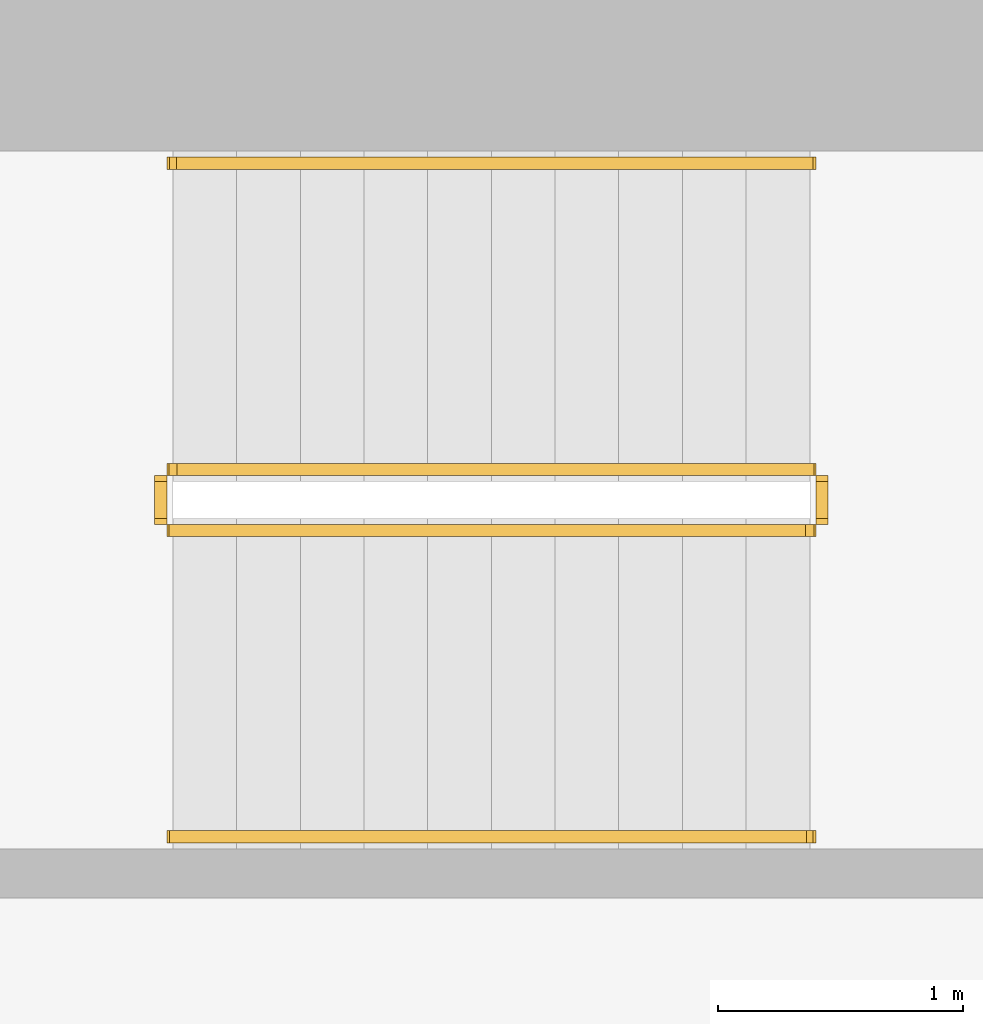
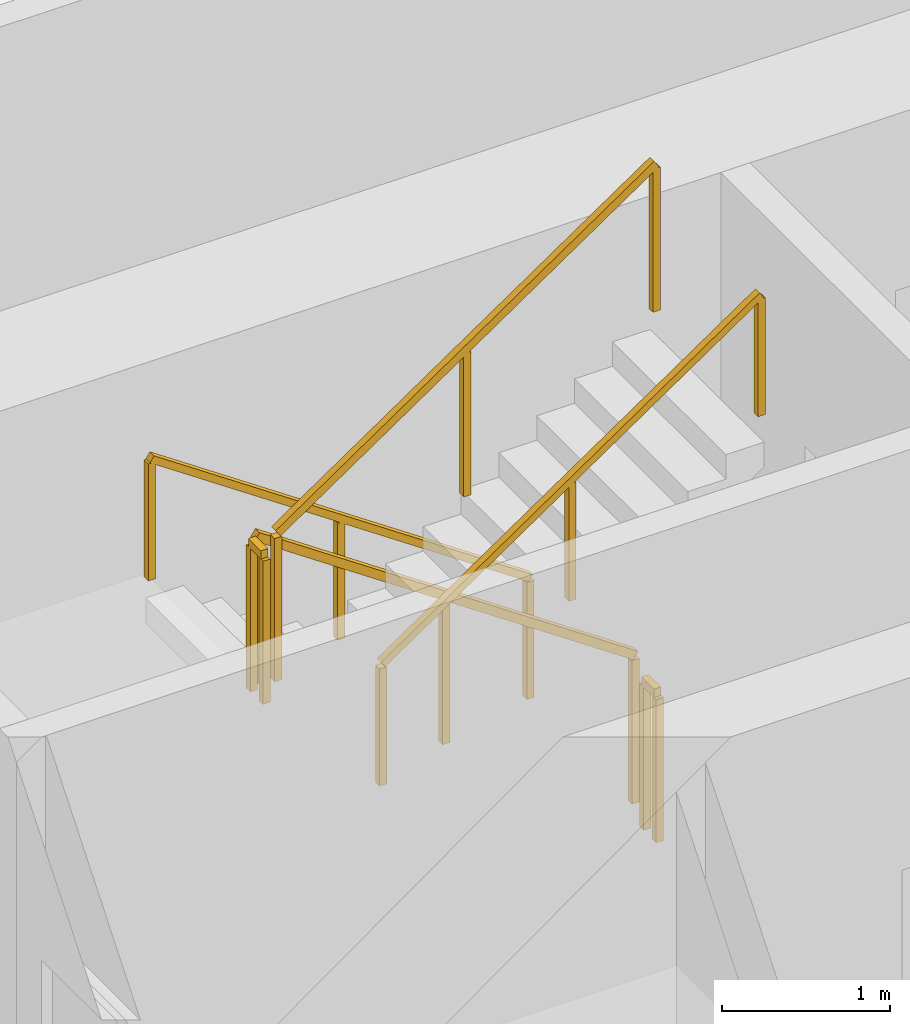
# One storey, part 14 of 15: 6 railings.
"""IFC4 building model written with IfcOpenShell, lengths in metres."""

import ifcopenshell
import ifcopenshell.guid

model = None  # the IFC model being written
_history = None  # IfcOwnerHistory: only IFC2X3 demands one
_inside = {}  # id of a spatial element -> (the spatial element, [elements in it])
_under = {}  # id of a project, library or spatial element -> (it, [spatial elements below it])
_declared = {}  # id of a project -> (the project, [libraries it declares])
_typed = {}  # id of a type object -> (the type object, [elements of that type])
_made_of = {}  # id of a material, layer set ... -> (it, [elements and type objects made of it])


def new_model(schema):
    """Start an empty IFC model of exactly this schema.

    Asked for "IFC4X3", IfcOpenShell would pick the latest addendum, in which some entities
    have other attributes; the version numbers below select the first issue.
    IFC2X3 requires an IfcOwnerHistory on every rooted entity: one is made here for all.
    """
    global model, _history
    if schema == "IFC4X3":
        model = ifcopenshell.file(schema_version=(4, 3, 0, 0))
    else:
        model = ifcopenshell.file(schema=schema)
    _inside.clear()
    _under.clear()
    _declared.clear()
    _typed.clear()
    _made_of.clear()
    _history = None
    if model.schema == "IFC2X3":
        org = make("IfcOrganization", Name="unknown")
        user = make(
            "IfcPersonAndOrganization",
            ThePerson=make("IfcPerson", FamilyName="unknown"),
            TheOrganization=org,
        )
        app = make(
            "IfcApplication",
            ApplicationDeveloper=org,
            Version="unknown",
            ApplicationFullName="unknown",
            ApplicationIdentifier="unknown",
        )
        _history = make(
            "IfcOwnerHistory",
            OwningUser=user,
            OwningApplication=app,
            ChangeAction="ADDED",
            CreationDate=0,
        )
    return model


def make(cls, **values):
    """One entity of the class cls with the attributes given. An attribute that is None is left unset."""
    return model.create_entity(
        cls, **{name: value for name, value in values.items() if value is not None}
    )


def rooted(cls, **values):
    """An entity with a GlobalId (a new one), such as an element, a storey or a relation."""
    return make(cls, GlobalId=ifcopenshell.guid.new(), OwnerHistory=_history, **values)


def si_unit(unit_type, name, prefix=None):
    """IfcSIUnit, for example si_unit("LENGTHUNIT", "METRE", prefix="MILLI")."""
    return make("IfcSIUnit", UnitType=unit_type, Prefix=prefix, Name=name)


def assignment(units):
    """IfcUnitAssignment: the units of a project."""
    return None if units is None else make("IfcUnitAssignment", Units=units)


def point(xyz):
    """IfcCartesianPoint."""
    return None if xyz is None else make("IfcCartesianPoint", Coordinates=xyz)


def direction(xyz):
    """IfcDirection."""
    return None if xyz is None else make("IfcDirection", DirectionRatios=xyz)


def frame(location, z_axis=None, x_axis=None):
    """IfcAxis2Placement3D, a coordinate frame: its origin and axes. An axis left out is left unset."""
    return make(
        "IfcAxis2Placement3D",
        Location=point(location),
        Axis=direction(z_axis),
        RefDirection=direction(x_axis),
    )


def frame_2d(location, x_axis=None):
    """IfcAxis2Placement2D, a coordinate frame in the plane: its origin and x axis."""
    return make(
        "IfcAxis2Placement2D", Location=point(location), RefDirection=direction(x_axis)
    )


def origin():
    """The frame at (0, 0, 0) with its axes left unset."""
    return frame((0.0, 0.0, 0.0))


def origin_2d():
    """The frame at (0, 0) in the plane with its x axis left unset."""
    return frame_2d((0.0, 0.0))


def place(relative_to, where):
    """IfcLocalPlacement: puts the frame where relative to a parent placement (None: the world)."""
    return make(
        "IfcLocalPlacement", PlacementRelTo=relative_to, RelativePlacement=where
    )


def context(
    kind, dimensions, precision=None, world=None, true_north=None, identifier=None
):
    """IfcGeometricRepresentationContext, for example the 3D "Model" context."""
    return make(
        "IfcGeometricRepresentationContext",
        ContextIdentifier=identifier,
        ContextType=kind,
        CoordinateSpaceDimension=dimensions,
        Precision=precision,
        WorldCoordinateSystem=world,
        TrueNorth=true_north,
    )


def subcontext(parent, identifier, kind, view, scale=None):
    """IfcGeometricRepresentationSubContext, for example "Body" below "Model"."""
    return make(
        "IfcGeometricRepresentationSubContext",
        ContextIdentifier=identifier,
        ContextType=kind,
        ParentContext=parent,
        TargetScale=scale,
        TargetView=view,
    )


def project(units=None, contexts=None):
    """IfcProject with its units and contexts."""
    return rooted(
        "IfcProject",
        Name="project",
        RepresentationContexts=contexts,
        UnitsInContext=assignment(units),
    )


def spatial(cls, under=None, at=None, **own):
    """A site, building, storey or space (cls), placed at a placement, below another one or the project."""
    s = rooted(cls, ObjectPlacement=at, **own)
    if under is not None:
        _under.setdefault(under.id(), (under, []))[1].append(s)
    return s


def profile(cls, at=None, kind="AREA", **sizes):
    """A parametric profile (cls). Its sizes go by their IFC names, for example OverallWidth=200.0."""
    return make(cls, ProfileType=kind, Position=at, **sizes)


def rectangle(**sizes):
    """IfcRectangleProfileDef."""
    return profile("IfcRectangleProfileDef", **sizes)


def extrude(swept, where, along, depth):
    """IfcExtrudedAreaSolid: the profile swept, set in the frame where, extruded along a direction by depth."""
    return make(
        "IfcExtrudedAreaSolid",
        SweptArea=swept,
        Position=where,
        ExtrudedDirection=direction(along),
        Depth=depth,
    )


def shape(context_of_items, identifier, shape_type, items):
    """IfcShapeRepresentation: the items that make up one representation, for example the "Body"."""
    return make(
        "IfcShapeRepresentation",
        ContextOfItems=context_of_items,
        RepresentationIdentifier=identifier,
        RepresentationType=shape_type,
        Items=items,
    )


def material(Name=None, Category=None):
    """IfcMaterial."""
    return make("IfcMaterial", Name=Name, Category=Category)


def made_of(thing, what):
    """Note that an element or type object is made of a material, layer set ...; save() writes the relation."""
    if what is not None:
        _made_of.setdefault(what.id(), (what, []))[1].append(thing)
    return thing


def type_object(cls, material=None, **own):
    """A type object (cls), such as IfcWallType, which elements share."""
    return made_of(rooted(cls, **own), material)


def element(
    cls,
    number,
    at=None,
    inside=None,
    cuts=None,
    type_object=None,
    material=None,
    context=None,
    identifier="Body",
    shape_type=None,
    held_by="IfcProductDefinitionShape",
    body=None,
    shapes=None,
    **own,
):
    """One element of the class cls, such as IfcWall. Its Tag is "e" and its number.

    at: its placement. inside: the storey or other place that contains it. cuts: it is an
    opening in that element (IfcRelVoidsElement). A single representation is given by context,
    identifier, shape_type and body (its items); several are given by shapes. held_by: the class
    of the entity that holds the representations. save() writes the other relations.
    """
    e = rooted(cls, Tag="e%d" % number, ObjectPlacement=at, **own)
    if body is not None:
        shapes = [shape(context, identifier, shape_type, body)]
    if shapes is not None:
        e.Representation = make(held_by, Representations=shapes)
    if inside is not None:
        _inside.setdefault(inside.id(), (inside, []))[1].append(e)
    if cuts is not None:
        rooted(
            "IfcRelVoidsElement", RelatingBuildingElement=cuts, RelatedOpeningElement=e
        )
    if type_object is not None:
        _typed.setdefault(type_object.id(), (type_object, []))[1].append(e)
    return made_of(e, material)


def aggregate(whole, parts):
    """IfcRelAggregates: a whole, such as a stair, and the parts it consists of."""
    return rooted("IfcRelAggregates", RelatingObject=whole, RelatedObjects=parts)


def save(model, path):
    """Write the relations noted so far, then the file.

    IfcRelAggregates (storeys below a building ...), IfcRelContainedInSpatialStructure (elements
    in a storey), IfcRelDefinesByType, IfcRelAssociatesMaterial and IfcRelDeclares: one each for
    every whole, place, type object, material and project.
    """
    for whole, parts in _under.values():
        aggregate(whole, parts)
    for where, things in _inside.values():
        rooted(
            "IfcRelContainedInSpatialStructure",
            RelatedElements=things,
            RelatingStructure=where,
        )
    for kind, things in _typed.values():
        rooted("IfcRelDefinesByType", RelatedObjects=things, RelatingType=kind)
    for what, things in _made_of.values():
        rooted("IfcRelAssociatesMaterial", RelatedObjects=things, RelatingMaterial=what)
    for by, libraries in _declared.values():
        rooted("IfcRelDeclares", RelatingContext=by, RelatedDefinitions=libraries)
    model.write(path)


model = new_model("IFC4")

# Units and contexts
model_context = context("Model", 3, precision=1e-05, world=origin(), true_north=direction((0.0, 1.0)))
body_context = subcontext(model_context, "Body", "Model", "MODEL_VIEW")
ifc_project = project(units=[si_unit("LENGTHUNIT", "METRE"), si_unit("AREAUNIT", "SQUARE_METRE"), si_unit("VOLUMEUNIT", "CUBIC_METRE"), si_unit("PLANEANGLEUNIT", "RADIAN"), si_unit("MASSUNIT", "GRAM", prefix="KILO")], contexts=[model_context])

# Site, building, storey
site_placement = place(None, origin())
site = spatial("IfcSite", under=ifc_project, at=site_placement, CompositionType="ELEMENT")
building_placement = place(site_placement, origin())
building = spatial("IfcBuilding", under=site, at=building_placement, Name="Khepri Terraces", CompositionType="ELEMENT")
storey_placement = place(building_placement, frame((0.0, 0.0, 211.800048828125)))
storey = spatial("IfcBuildingStorey", under=building, at=storey_placement, Name="L50", CompositionType="ELEMENT", Elevation=211.800048828125)

# Railings
ifc_material = material(Name="Stainless steel 316", Category="steel")
railing_type_1 = type_object("IfcRailingType", Name="RL-CORE-GUARD", PredefinedType="GUARDRAIL", material=ifc_material)
railing_1_placement = place(storey_placement, frame((-0.25, 8.800048828125, 0.17724609375)))
element("IfcRailing", 1, at=railing_1_placement, inside=storey, type_object=railing_type_1, Name="L50 ST-3 stair guard 1", PredefinedType="GUARDRAIL", context=body_context, shape_type="SweptSolid", body=[
    extrude(rectangle(XDim=0.050048828125, YDim=0.06005859375, at=origin_2d()), frame((0.0, 0.0, 1.070068359375), z_axis=(-0.826240473404, 0.0, 0.563317565952), x_axis=(0.0, -1.0, 0.0)), (0.0, 0.0, 1.0), 3.14697265625),
    extrude(rectangle(XDim=0.050048828125, YDim=0.050048828125, at=origin_2d()), origin(), (0.0, 0.0, 1.0), 1.0400390625),
    extrude(rectangle(XDim=0.050048828125, YDim=0.050048828125, at=origin_2d()), frame((-1.300048828125, 0.0, 0.88623046875)), (0.0, 0.0, 1.0), 1.0400390625),
    extrude(rectangle(XDim=0.050048828125, YDim=0.050048828125, at=origin_2d()), frame((-2.60009765625, 0.0, 1.772705078125)), (0.0, 0.0, 1.0), 1.0400390625),
])
railing_2_placement = place(storey_placement, frame((-2.89990234375, 8.75, 1.949951171875)))
element("IfcRailing", 2, at=railing_2_placement, inside=storey, type_object=railing_type_1, Name="L50 ST-3 stair guard 2", PredefinedType="GUARDRAIL", context=body_context, shape_type="SweptSolid", body=[
    extrude(rectangle(XDim=0.050048828125, YDim=0.06005859375, at=origin_2d()), frame((0.0, 0.0, 1.070068359375), z_axis=(0.0, -1.0, 0.0), x_axis=(1.0, 0.0, 0.0)), (0.0, 0.0, 1.0), 0.14990234375),
    extrude(rectangle(XDim=0.050048828125, YDim=0.050048828125, at=origin_2d()), origin(), (0.0, 0.0, 1.0), 1.0400390625),
    extrude(rectangle(XDim=0.050048828125, YDim=0.050048828125, at=origin_2d()), frame((0.0, -0.14990234375, 0.0)), (0.0, 0.0, 1.0), 1.0400390625),
])
railing_3_placement = place(storey_placement, frame((-2.85009765625, 8.550048828125, 2.127197265625)))
element("IfcRailing", 3, at=railing_3_placement, inside=storey, type_object=railing_type_1, Name="L50 ST-3 stair guard 3", PredefinedType="GUARDRAIL", context=body_context, shape_type="SweptSolid", body=[
    extrude(rectangle(XDim=0.050048828125, YDim=0.06005859375, at=origin_2d()), frame((0.0, 0.0, 1.070068359375), z_axis=(0.826240473404, 0.0, 0.563317565952), x_axis=(0.0, 1.0, 0.0)), (0.0, 0.0, 1.0), 3.14697265625),
    extrude(rectangle(XDim=0.050048828125, YDim=0.050048828125, at=origin_2d()), origin(), (0.0, 0.0, 1.0), 1.0400390625),
    extrude(rectangle(XDim=0.050048828125, YDim=0.050048828125, at=origin_2d()), frame((1.300048828125, 0.0, 0.88623046875)), (0.0, 0.0, 1.0), 1.0400390625),
    extrude(rectangle(XDim=0.050048828125, YDim=0.050048828125, at=origin_2d()), frame((2.60009765625, 0.0, 1.772705078125)), (0.0, 0.0, 1.0), 1.0400390625),
])
railing_4_placement = place(storey_placement, frame((-0.199951171875, 8.75, 0.0)))
element("IfcRailing", 4, at=railing_4_placement, inside=storey, type_object=railing_type_1, Name="L50 ST-3 stair guard 4", PredefinedType="GUARDRAIL", context=body_context, shape_type="SweptSolid", body=[
    extrude(rectangle(XDim=0.050048828125, YDim=0.06005859375, at=origin_2d()), frame((0.0, 0.0, 1.070068359375), z_axis=(0.0, -1.0, 0.0), x_axis=(1.0, 0.0, 0.0)), (0.0, 0.0, 1.0), 0.14990234375),
    extrude(rectangle(XDim=0.050048828125, YDim=0.050048828125, at=origin_2d()), origin(), (0.0, 0.0, 1.0), 1.0400390625),
    extrude(rectangle(XDim=0.050048828125, YDim=0.050048828125, at=origin_2d()), frame((0.0, -0.14990234375, 0.0)), (0.0, 0.0, 1.0), 1.0400390625),
])
railing_type_2 = type_object("IfcRailingType", Name="RL-CORE-HANDRAIL", PredefinedType="HANDRAIL", material=ifc_material)
railing_5_placement = place(storey_placement, frame((-0.25, 10.050048828125, 0.17724609375)))
element("IfcRailing", 5, at=railing_5_placement, inside=storey, type_object=railing_type_2, Name="L50 ST-3 stair handrail 1", PredefinedType="HANDRAIL", context=body_context, shape_type="SweptSolid", body=[
    extrude(rectangle(XDim=0.050048828125, YDim=0.050048828125, at=origin_2d()), frame((0.0, 0.0, 0.875), z_axis=(-0.826240473404, 0.0, 0.563317565952), x_axis=(0.0, -1.0, 0.0)), (0.0, 0.0, 1.0), 3.14697265625),
    extrude(rectangle(XDim=0.050048828125, YDim=0.050048828125, at=origin_2d()), origin(), (0.0, 0.0, 1.0), 0.849853515625),
    extrude(rectangle(XDim=0.050048828125, YDim=0.050048828125, at=origin_2d()), frame((-1.300048828125, 0.0, 0.88623046875)), (0.0, 0.0, 1.0), 0.849853515625),
    extrude(rectangle(XDim=0.050048828125, YDim=0.050048828125, at=origin_2d()), frame((-2.60009765625, 0.0, 1.772705078125)), (0.0, 0.0, 1.0), 0.849853515625),
])
railing_6_placement = place(storey_placement, frame((-2.85009765625, 7.300048828125, 2.127197265625)))
element("IfcRailing", 6, at=railing_6_placement, inside=storey, type_object=railing_type_2, Name="L50 ST-3 stair handrail 2", PredefinedType="HANDRAIL", context=body_context, shape_type="SweptSolid", body=[
    extrude(rectangle(XDim=0.050048828125, YDim=0.050048828125, at=origin_2d()), frame((0.0, 0.0, 0.875), z_axis=(0.826240473404, 0.0, 0.563317565952), x_axis=(0.0, 1.0, 0.0)), (0.0, 0.0, 1.0), 3.14697265625),
    extrude(rectangle(XDim=0.050048828125, YDim=0.050048828125, at=origin_2d()), origin(), (0.0, 0.0, 1.0), 0.849853515625),
    extrude(rectangle(XDim=0.050048828125, YDim=0.050048828125, at=origin_2d()), frame((1.300048828125, 0.0, 0.88623046875)), (0.0, 0.0, 1.0), 0.849853515625),
    extrude(rectangle(XDim=0.050048828125, YDim=0.050048828125, at=origin_2d()), frame((2.60009765625, 0.0, 1.772705078125)), (0.0, 0.0, 1.0), 0.849853515625),
])

save(model, "model.ifc")
